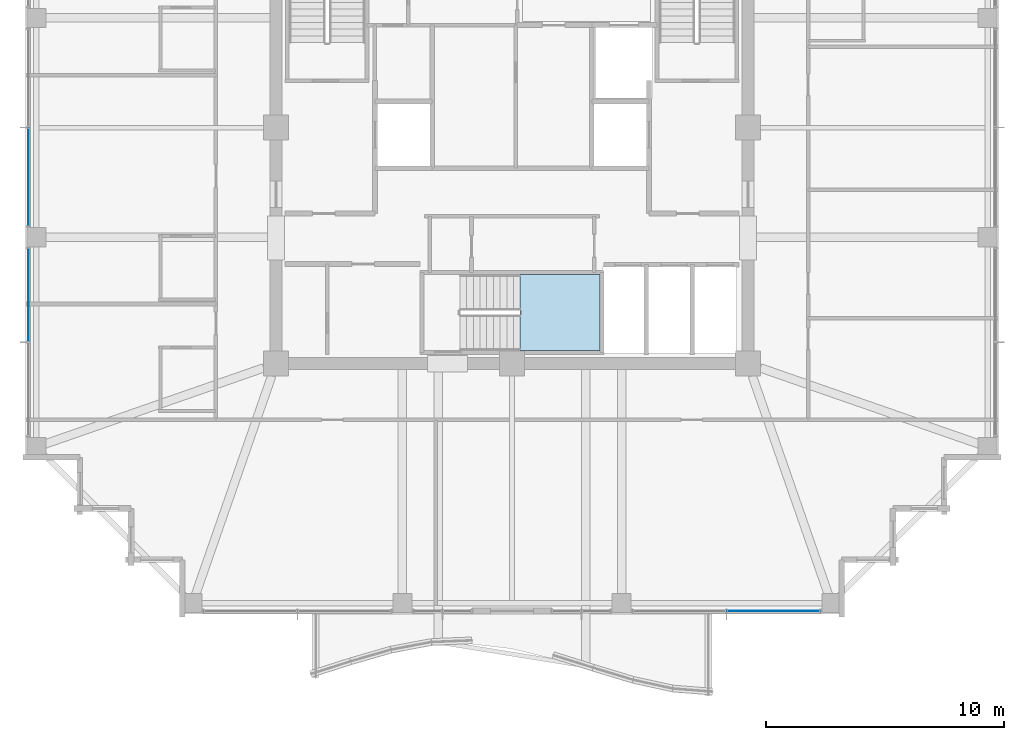
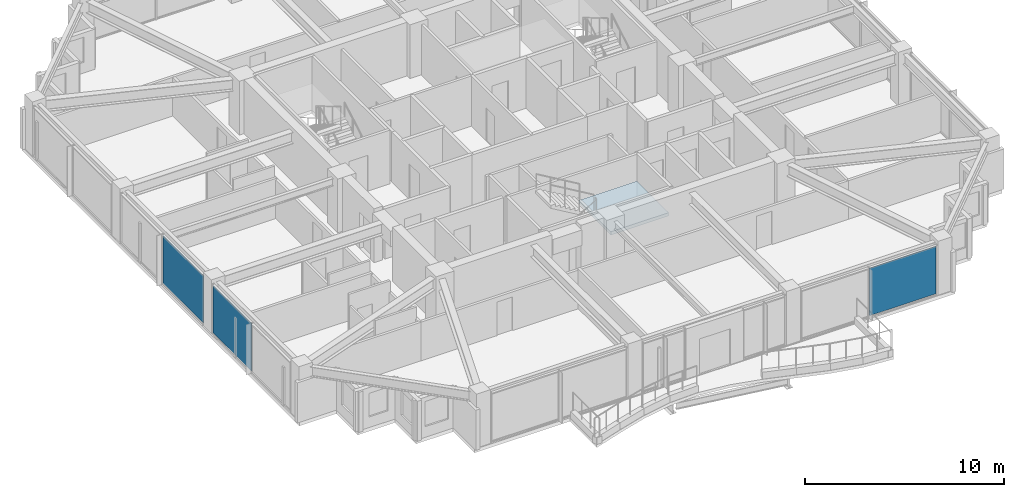
# One storey, part 24 of 36: 3 plates, 1 slab, 4 elements without a shape of their own.
"""IFC4 building model written with IfcOpenShell, lengths in metres."""

import ifcopenshell
import ifcopenshell.guid

model = None  # the IFC model being written
_history = None  # IfcOwnerHistory: only IFC2X3 demands one
_inside = {}  # id of a spatial element -> (the spatial element, [elements in it])
_under = {}  # id of a project, library or spatial element -> (it, [spatial elements below it])
_declared = {}  # id of a project -> (the project, [libraries it declares])
_typed = {}  # id of a type object -> (the type object, [elements of that type])
_made_of = {}  # id of a material, layer set ... -> (it, [elements and type objects made of it])


def new_model(schema):
    """Start an empty IFC model of exactly this schema.

    Asked for "IFC4X3", IfcOpenShell would pick the latest addendum, in which some entities
    have other attributes; the version numbers below select the first issue.
    IFC2X3 requires an IfcOwnerHistory on every rooted entity: one is made here for all.
    """
    global model, _history
    if schema == "IFC4X3":
        model = ifcopenshell.file(schema_version=(4, 3, 0, 0))
    else:
        model = ifcopenshell.file(schema=schema)
    _inside.clear()
    _under.clear()
    _declared.clear()
    _typed.clear()
    _made_of.clear()
    _history = None
    if model.schema == "IFC2X3":
        org = make("IfcOrganization", Name="unknown")
        user = make(
            "IfcPersonAndOrganization",
            ThePerson=make("IfcPerson", FamilyName="unknown"),
            TheOrganization=org,
        )
        app = make(
            "IfcApplication",
            ApplicationDeveloper=org,
            Version="unknown",
            ApplicationFullName="unknown",
            ApplicationIdentifier="unknown",
        )
        _history = make(
            "IfcOwnerHistory",
            OwningUser=user,
            OwningApplication=app,
            ChangeAction="ADDED",
            CreationDate=0,
        )
    return model


def make(cls, **values):
    """One entity of the class cls with the attributes given. An attribute that is None is left unset."""
    return model.create_entity(
        cls, **{name: value for name, value in values.items() if value is not None}
    )


def rooted(cls, **values):
    """An entity with a GlobalId (a new one), such as an element, a storey or a relation."""
    return make(cls, GlobalId=ifcopenshell.guid.new(), OwnerHistory=_history, **values)


def si_unit(unit_type, name, prefix=None):
    """IfcSIUnit, for example si_unit("LENGTHUNIT", "METRE", prefix="MILLI")."""
    return make("IfcSIUnit", UnitType=unit_type, Prefix=prefix, Name=name)


def assignment(units):
    """IfcUnitAssignment: the units of a project."""
    return None if units is None else make("IfcUnitAssignment", Units=units)


def point(xyz):
    """IfcCartesianPoint."""
    return None if xyz is None else make("IfcCartesianPoint", Coordinates=xyz)


def direction(xyz):
    """IfcDirection."""
    return None if xyz is None else make("IfcDirection", DirectionRatios=xyz)


def frame(location, z_axis=None, x_axis=None):
    """IfcAxis2Placement3D, a coordinate frame: its origin and axes. An axis left out is left unset."""
    return make(
        "IfcAxis2Placement3D",
        Location=point(location),
        Axis=direction(z_axis),
        RefDirection=direction(x_axis),
    )


def frame_2d(location, x_axis=None):
    """IfcAxis2Placement2D, a coordinate frame in the plane: its origin and x axis."""
    return make(
        "IfcAxis2Placement2D", Location=point(location), RefDirection=direction(x_axis)
    )


def origin():
    """The frame at (0, 0, 0) with its axes left unset."""
    return frame((0.0, 0.0, 0.0))


def origin_2d():
    """The frame at (0, 0) in the plane with its x axis left unset."""
    return frame_2d((0.0, 0.0))


def place(relative_to, where):
    """IfcLocalPlacement: puts the frame where relative to a parent placement (None: the world)."""
    return make(
        "IfcLocalPlacement", PlacementRelTo=relative_to, RelativePlacement=where
    )


def context(
    kind, dimensions, precision=None, world=None, true_north=None, identifier=None
):
    """IfcGeometricRepresentationContext, for example the 3D "Model" context."""
    return make(
        "IfcGeometricRepresentationContext",
        ContextIdentifier=identifier,
        ContextType=kind,
        CoordinateSpaceDimension=dimensions,
        Precision=precision,
        WorldCoordinateSystem=world,
        TrueNorth=true_north,
    )


def subcontext(parent, identifier, kind, view, scale=None):
    """IfcGeometricRepresentationSubContext, for example "Body" below "Model"."""
    return make(
        "IfcGeometricRepresentationSubContext",
        ContextIdentifier=identifier,
        ContextType=kind,
        ParentContext=parent,
        TargetScale=scale,
        TargetView=view,
    )


def project(units=None, contexts=None):
    """IfcProject with its units and contexts."""
    return rooted(
        "IfcProject",
        Name="project",
        RepresentationContexts=contexts,
        UnitsInContext=assignment(units),
    )


def spatial(cls, under=None, at=None, **own):
    """A site, building, storey or space (cls), placed at a placement, below another one or the project."""
    s = rooted(cls, ObjectPlacement=at, **own)
    if under is not None:
        _under.setdefault(under.id(), (under, []))[1].append(s)
    return s


def polyline(points):
    """IfcPolyline through the points."""
    return make("IfcPolyline", Points=[point(p) for p in points])


def profile(cls, at=None, kind="AREA", **sizes):
    """A parametric profile (cls). Its sizes go by their IFC names, for example OverallWidth=200.0."""
    return make(cls, ProfileType=kind, Position=at, **sizes)


def rectangle(**sizes):
    """IfcRectangleProfileDef."""
    return profile("IfcRectangleProfileDef", **sizes)


def outline(outer, holes=None, kind="AREA"):
    """IfcArbitraryClosedProfileDef: a profile drawn as a closed curve; with holes, ...WithVoids."""
    if holes is None:
        return make("IfcArbitraryClosedProfileDef", ProfileType=kind, OuterCurve=outer)
    return make(
        "IfcArbitraryProfileDefWithVoids",
        ProfileType=kind,
        OuterCurve=outer,
        InnerCurves=holes,
    )


def extrude(swept, where, along, depth):
    """IfcExtrudedAreaSolid: the profile swept, set in the frame where, extruded along a direction by depth."""
    return make(
        "IfcExtrudedAreaSolid",
        SweptArea=swept,
        Position=where,
        ExtrudedDirection=direction(along),
        Depth=depth,
    )


def shape(context_of_items, identifier, shape_type, items):
    """IfcShapeRepresentation: the items that make up one representation, for example the "Body"."""
    return make(
        "IfcShapeRepresentation",
        ContextOfItems=context_of_items,
        RepresentationIdentifier=identifier,
        RepresentationType=shape_type,
        Items=items,
    )


def material(Name=None, Category=None):
    """IfcMaterial."""
    return make("IfcMaterial", Name=Name, Category=Category)


def layer(
    of_material, thickness, ventilated=None, Name=None, Category=None, Priority=None
):
    """IfcMaterialLayer: one layer of a wall or slab, of a material (None: an air gap)."""
    return make(
        "IfcMaterialLayer",
        Material=of_material,
        LayerThickness=thickness,
        IsVentilated=ventilated,
        Name=Name,
        Category=Category,
        Priority=Priority,
    )


def layer_set(layers, Name=None):
    """IfcMaterialLayerSet."""
    return make("IfcMaterialLayerSet", MaterialLayers=layers, LayerSetName=Name)


def made_of(thing, what):
    """Note that an element or type object is made of a material, layer set ...; save() writes the relation."""
    if what is not None:
        _made_of.setdefault(what.id(), (what, []))[1].append(thing)
    return thing


def type_object(cls, material=None, **own):
    """A type object (cls), such as IfcWallType, which elements share."""
    return made_of(rooted(cls, **own), material)


def element(
    cls,
    number,
    at=None,
    inside=None,
    cuts=None,
    type_object=None,
    material=None,
    context=None,
    identifier="Body",
    shape_type=None,
    held_by="IfcProductDefinitionShape",
    body=None,
    shapes=None,
    **own,
):
    """One element of the class cls, such as IfcWall. Its Tag is "e" and its number.

    at: its placement. inside: the storey or other place that contains it. cuts: it is an
    opening in that element (IfcRelVoidsElement). A single representation is given by context,
    identifier, shape_type and body (its items); several are given by shapes. held_by: the class
    of the entity that holds the representations. save() writes the other relations.
    """
    e = rooted(cls, Tag="e%d" % number, ObjectPlacement=at, **own)
    if body is not None:
        shapes = [shape(context, identifier, shape_type, body)]
    if shapes is not None:
        e.Representation = make(held_by, Representations=shapes)
    if inside is not None:
        _inside.setdefault(inside.id(), (inside, []))[1].append(e)
    if cuts is not None:
        rooted(
            "IfcRelVoidsElement", RelatingBuildingElement=cuts, RelatedOpeningElement=e
        )
    if type_object is not None:
        _typed.setdefault(type_object.id(), (type_object, []))[1].append(e)
    return made_of(e, material)


def aggregate(whole, parts):
    """IfcRelAggregates: a whole, such as a stair, and the parts it consists of."""
    return rooted("IfcRelAggregates", RelatingObject=whole, RelatedObjects=parts)


def save(model, path):
    """Write the relations noted so far, then the file.

    IfcRelAggregates (storeys below a building ...), IfcRelContainedInSpatialStructure (elements
    in a storey), IfcRelDefinesByType, IfcRelAssociatesMaterial and IfcRelDeclares: one each for
    every whole, place, type object, material and project.
    """
    for whole, parts in _under.values():
        aggregate(whole, parts)
    for where, things in _inside.values():
        rooted(
            "IfcRelContainedInSpatialStructure",
            RelatedElements=things,
            RelatingStructure=where,
        )
    for kind, things in _typed.values():
        rooted("IfcRelDefinesByType", RelatedObjects=things, RelatingType=kind)
    for what, things in _made_of.values():
        rooted("IfcRelAssociatesMaterial", RelatedObjects=things, RelatingMaterial=what)
    for by, libraries in _declared.values():
        rooted("IfcRelDeclares", RelatingContext=by, RelatedDefinitions=libraries)
    model.write(path)


model = new_model("IFC4")

# Units and contexts
model_context = context("Model", 3, precision=1e-05, world=origin(), true_north=direction((0.0, 1.0)))
body_context = subcontext(model_context, "Body", "Model", "MODEL_VIEW")
ifc_project = project(units=[si_unit("LENGTHUNIT", "METRE"), si_unit("AREAUNIT", "SQUARE_METRE"), si_unit("VOLUMEUNIT", "CUBIC_METRE"), si_unit("PLANEANGLEUNIT", "RADIAN"), si_unit("MASSUNIT", "GRAM", prefix="KILO")], contexts=[model_context])

# Site, building, storey
site_placement = place(None, origin())
site = spatial("IfcSite", under=ifc_project, at=site_placement, CompositionType="ELEMENT")
building_placement = place(site_placement, origin())
building = spatial("IfcBuilding", under=site, at=building_placement, Name="Kolvaren Belvedere", CompositionType="ELEMENT")
storey_placement = place(building_placement, frame((0.0, 0.0, 199.800048828125)))
storey = spatial("IfcBuildingStorey", under=building, at=storey_placement, Name="L58", CompositionType="ELEMENT", Elevation=199.800048828125)

# Curtain wall, plate
ifc_material_1 = material(Name="Anodised pale-metal aluminium AA 6063-T6", Category="aluminium")
curtain_wall_type = type_object("IfcCurtainWallType", Name="CW-Z5-HIGH", PredefinedType="NOTDEFINED", material=ifc_material_1)
curtain_wall_1_placement = place(storey_placement, origin())
curtain_wall_1 = element("IfcCurtainWall", 1, at=curtain_wall_1_placement, inside=storey, type_object=curtain_wall_type, Name="L58 Unitised Curtain Wall FCW-L58-S1-B1", PredefinedType="NOTDEFINED")
ifc_material_2 = material(Name="Low-iron triple insulated glass", Category="glass")
ifc_layer_1 = layer(ifc_material_2, 0.028076171875)
ifc_layer_set_1 = layer_set([ifc_layer_1], Name="Low-iron triple insulated glass")
plate_type = type_object("IfcPlateType", Name="CW-PNL-VIS28", PredefinedType="CURTAIN_PANEL", material=ifc_layer_set_1)
plate_1_placement = place(storey_placement, frame((10.972412109375, -20.280029296875, 0.080078125), z_axis=(0.0, 0.0, 1.0), x_axis=(-1.0, 0.0, 0.0)))
plate_1 = element("IfcPlate", 2, at=plate_1_placement, type_object=plate_type, Name="FCW-L58-S1-B1 Vision Glazing Panel 1", PredefinedType="CURTAIN_PANEL", context=body_context, shape_type="SweptSolid", body=[
    extrude(rectangle(XDim=3.864990234375, YDim=0.028076171875, at=origin_2d()), origin(), (0.0, 0.0, 1.0), 2.919921875),
])
aggregate(curtain_wall_1, [plate_1])

curtain_wall_2_placement = place(storey_placement, origin())
curtain_wall_2 = element("IfcCurtainWall", 3, at=curtain_wall_2_placement, inside=storey, type_object=curtain_wall_type, Name="L58 Unitised Curtain Wall FCW-L58-W-B1", PredefinedType="NOTDEFINED")
plate_2_placement = place(storey_placement, frame((-20.280029296875, -7.027587890625, 0.080078125), z_axis=(0.0, 0.0, 1.0), x_axis=(0.0, 1.0, 0.0)))
plate_2 = element("IfcPlate", 4, at=plate_2_placement, type_object=plate_type, Name="FCW-L58-W-B1 Vision Glazing Panel 2", PredefinedType="CURTAIN_PANEL", context=body_context, shape_type="SweptSolid", body=[
    extrude(rectangle(XDim=3.864990234375, YDim=0.028076171875, at=origin_2d()), origin(), (0.0, 0.0, 1.0), 2.919921875),
])
aggregate(curtain_wall_2, [plate_2])

curtain_wall_3_placement = place(storey_placement, origin())
curtain_wall_3 = element("IfcCurtainWall", 5, at=curtain_wall_3_placement, inside=storey, type_object=curtain_wall_type, Name="L58 Unitised Curtain Wall FCW-L58-W-B2", PredefinedType="NOTDEFINED")
plate_3_placement = place(storey_placement, frame((-20.280029296875, -2.072509765625, 0.080078125), z_axis=(0.0, 0.0, 1.0), x_axis=(0.0, 1.0, 0.0)))
plate_3 = element("IfcPlate", 6, at=plate_3_placement, type_object=plate_type, Name="FCW-L58-W-B2 Vision Glazing Panel 1", PredefinedType="CURTAIN_PANEL", context=body_context, shape_type="SweptSolid", body=[
    extrude(rectangle(XDim=4.06494140625, YDim=0.028076171875, at=origin_2d()), origin(), (0.0, 0.0, 1.0), 2.919921875),
])
aggregate(curtain_wall_3, [plate_3])

# Stair, slab
ifc_material_3 = material(Name="Concrete C50/60", Category="concrete")
stair_type = type_object("IfcStairType", Name="ST-CORE-1520", PredefinedType="HALF_TURN_STAIR", material=ifc_material_3)
stair_placement = place(storey_placement, origin())
stair = element("IfcStair", 7, at=stair_placement, inside=storey, type_object=stair_type, Name="L58 Protected Exit Stair ST-3", PredefinedType="HALF_TURN_STAIR")
ifc_material_4 = material(Name="Concrete C50/60", Category="concrete")
ifc_layer_2 = layer(ifc_material_4, 0.260009765625)
ifc_layer_set_2 = layer_set([ifc_layer_2], Name="Concrete C50/60")
slab_type = type_object("IfcSlabType", Name="SL-LAND-260", PredefinedType="LANDING", material=ifc_layer_set_2)
slab_placement = place(storey_placement, frame((0.0, 0.0, 1.449951171875)))
slab = element("IfcSlab", 8, at=slab_placement, type_object=slab_type, Name="ST-3 landing 1", PredefinedType="LANDING", context=body_context, shape_type="SweptSolid", body=[
    extrude(outline(polyline([(0.340087890625, -9.35009765625), (3.699951171875, -9.35009765625), (3.699951171875, -6.159912109375), (0.340087890625, -6.159912109375), (0.340087890625, -9.35009765625)])), origin(), (0.0, 0.0, 1.0), 0.199951171875),
])
aggregate(stair, [slab])

save(model, "model.ifc")
